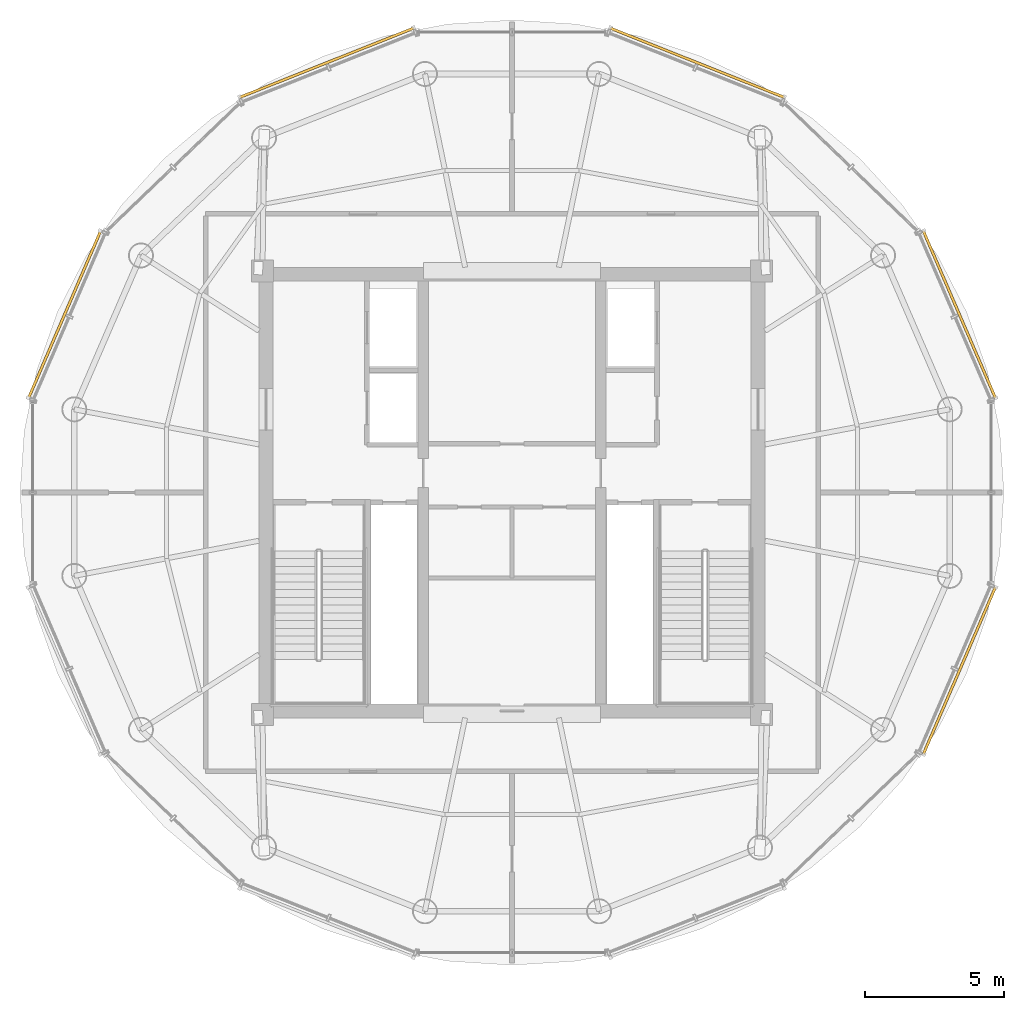
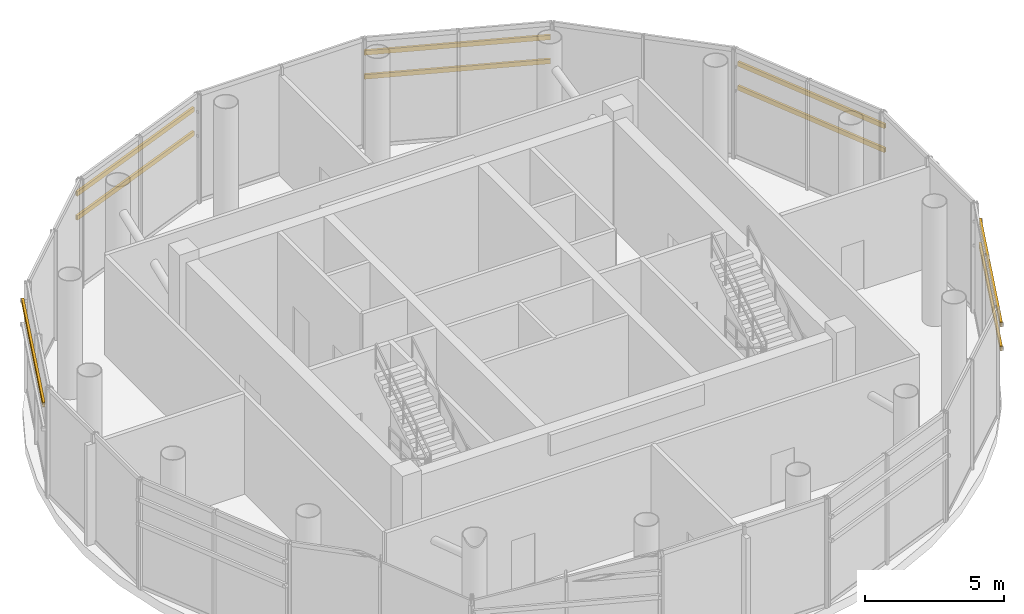
# One storey, part 15 of 15: 9 shading devices.
"""IFC4 building model written with IfcOpenShell, lengths in metres."""

from ifc_helpers import new_model, si_unit, direction, frame, origin, origin_2d, place, context, subcontext, project, spatial, hollow_rectangle, extrude, source, transform, mapped, material, material_profile, profile_set, type_object, element, save


model = new_model("IFC4")

# Units and contexts
model_context = context("Model", 3, precision=1e-05, world=origin(), true_north=direction((-0.2419218956, 0.970295726276)))
body_context = subcontext(model_context, "Body", "Model", "MODEL_VIEW")
ifc_project = project(units=[si_unit("LENGTHUNIT", "METRE"), si_unit("AREAUNIT", "SQUARE_METRE"), si_unit("VOLUMEUNIT", "CUBIC_METRE"), si_unit("PLANEANGLEUNIT", "RADIAN"), si_unit("MASSUNIT", "GRAM", prefix="KILO")], contexts=[model_context])

# Site, building, storey
site_placement = place(None, origin())
site = spatial("IfcSite", under=ifc_project, at=site_placement, CompositionType="ELEMENT")
building_placement = place(site_placement, origin())
building = spatial("IfcBuilding", under=site, at=building_placement, Name="Cobrevalo Terracotta Tower", CompositionType="ELEMENT")
storey_placement = place(building_placement, frame((0.0, 0.0, 311.300048828125)))
storey = spatial("IfcBuildingStorey", under=building, at=storey_placement, Name="L81", CompositionType="ELEMENT", Elevation=311.300048828125)

# Shading devices
ifc_material = material(Name="Extruded fired architectural terracotta", Category="masonry")
ifc_material_profile = material_profile(ifc_material, hollow_rectangle(XDim=0.094970703125, YDim=0.199951171875, WallThickness=0.01611328125, at=origin_2d()), Name="BAGUETTE 95x200")
ifc_profile_set = profile_set([ifc_material_profile], Name="Extruded fired architectural terracotta")
shading_device_type = type_object("IfcShadingDeviceType", Name="Upper-Zone Terracotta Baguette Screen 95x200", PredefinedType="USERDEFINED", material=ifc_profile_set)
shared_shape_1 = source(origin(), body_context, "Body", "SweptSolid", [
    extrude(hollow_rectangle(XDim=0.094970703125, YDim=0.199951171875, WallThickness=0.01611328125, at=origin_2d()), origin(), (0.0, 0.0, 1.0), 6.566650390625),
])
for number, where, z_axis, x_axis, name in (
    (1, (55.440673828125, 30.2109375, 2.963623046875), (-0.396072057664, 0.91821943191, 0.0), (-0.91821943191, -0.396072057664, 0.0), "CW-CRN-L81-S01 horizontal terracotta baguette 1"),
    (2, (55.440673828125, 30.2109375, 4.01513671875), (-0.396072057664, 0.91821943191, 0.0), (-0.91821943191, -0.396072057664, 0.0), "CW-CRN-L81-S01 horizontal terracotta baguette 2"),
    (3, (23.16015625, 36.240478515625, 4.01513671875), (-0.396072057664, -0.91821943191, 0.0), (0.91821943191, -0.396072057664, 0.0), "CW-CRN-L81-S07 horizontal terracotta baguette 2"),
    (4, (52.83984375, 17.359619140625, 2.963623046875), (0.396072057664, 0.91821943191, 0.0), (-0.91821943191, 0.396072057664, 0.0), "CW-CRN-L81-S15 horizontal terracotta baguette 1"),
    (5, (52.83984375, 17.359619140625, 4.01513671875), (0.396072057664, 0.91821943191, 0.0), (-0.91821943191, 0.396072057664, 0.0), "CW-CRN-L81-S15 horizontal terracotta baguette 2"),
):
    element("IfcShadingDevice", number, at=place(storey_placement, frame(where, z_axis=z_axis, x_axis=x_axis)), inside=storey, type_object=shading_device_type, Name=name, ObjectType="BAGUETTE", PredefinedType="USERDEFINED", context=body_context, shape_type="MappedRepresentation", body=[
        mapped(shared_shape_1, transform((0.0, 0.0, 0.0), scale=1.0)),
    ])
shared_shape_2 = source(origin(), body_context, "Body", "SweptSolid", [
    extrude(hollow_rectangle(XDim=0.094970703125, YDim=0.199951171875, WallThickness=0.01611328125, at=origin_2d()), origin(), (0.0, 0.0, 1.0), 6.75927734375),
])
for number, where, z_axis, x_axis, name in (
    (6, (47.823974609375, 41.058837890625, 2.963623046875), (-0.92918987203, 0.369602734995, 0.0), (-0.369602734995, -0.92918987203, 0.0), "CW-CRN-L81-S03 horizontal terracotta baguette 1"),
    (7, (47.823974609375, 41.058837890625, 4.01513671875), (-0.92918987203, 0.369602734995, 0.0), (-0.369602734995, -0.92918987203, 0.0), "CW-CRN-L81-S03 horizontal terracotta baguette 2"),
    (8, (34.456787109375, 43.55712890625, 2.963623046875), (-0.92918987203, -0.369602734995, 0.0), (0.369602734995, -0.92918987203, 0.0), "CW-CRN-L81-S05 horizontal terracotta baguette 1"),
    (9, (34.456787109375, 43.55712890625, 4.01513671875), (-0.92918987203, -0.369602734995, 0.0), (0.369602734995, -0.92918987203, 0.0), "CW-CRN-L81-S05 horizontal terracotta baguette 2"),
):
    element("IfcShadingDevice", number, at=place(storey_placement, frame(where, z_axis=z_axis, x_axis=x_axis)), inside=storey, type_object=shading_device_type, Name=name, ObjectType="BAGUETTE", PredefinedType="USERDEFINED", context=body_context, shape_type="MappedRepresentation", body=[
        mapped(shared_shape_2, transform((0.0, 0.0, 0.0), scale=1.0)),
    ])

save(model, "model.ifc")
